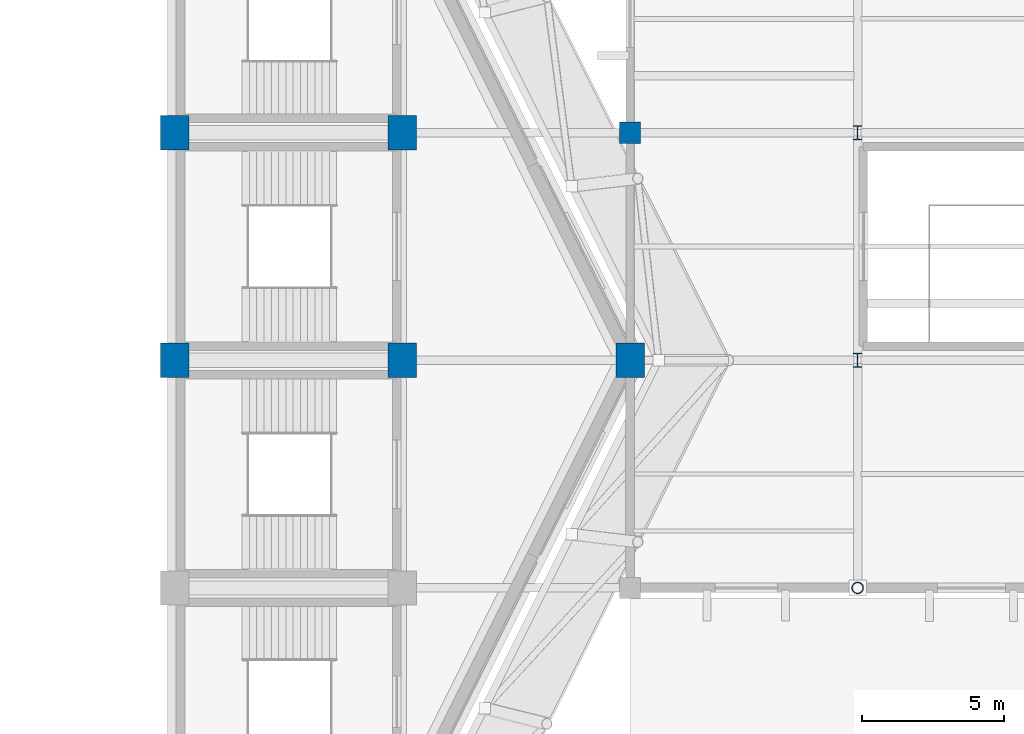
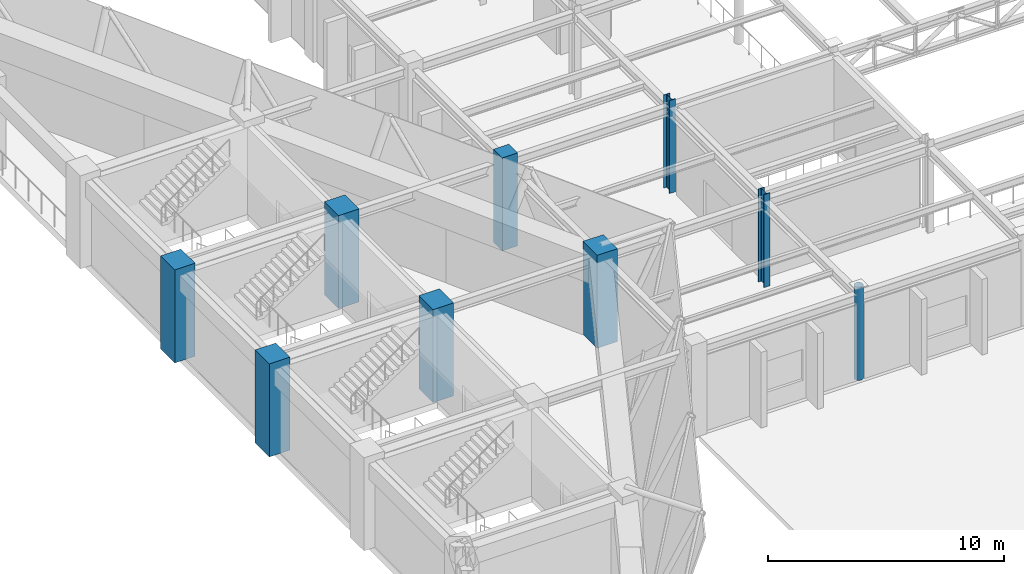
# One storey, part 2 of 46: 9 columns.
"""IFC4 building model written with IfcOpenShell, lengths in metres."""

from ifc_helpers import new_model, si_unit, direction, frame, origin, origin_2d, place, context, subcontext, project, spatial, rectangle, hollow_circle, i_section, extrude, material, material_profile, profile_set, type_object, element, save


model = new_model("IFC4")

# Units and contexts
model_context = context("Model", 3, precision=1e-05, world=origin(), true_north=direction((0.0, 1.0)))
body_context = subcontext(model_context, "Body", "Model", "MODEL_VIEW")
ifc_project = project(units=[si_unit("LENGTHUNIT", "METRE"), si_unit("AREAUNIT", "SQUARE_METRE"), si_unit("VOLUMEUNIT", "CUBIC_METRE"), si_unit("PLANEANGLEUNIT", "RADIAN"), si_unit("MASSUNIT", "GRAM", prefix="KILO")], contexts=[model_context])

# Site, building, storey
site_placement = place(None, origin())
site = spatial("IfcSite", under=ifc_project, at=site_placement, CompositionType="ELEMENT")
building_placement = place(site_placement, origin())
building = spatial("IfcBuilding", under=site, at=building_placement, Name="Tazarka Park Arena", CompositionType="ELEMENT")
storey_placement = place(building_placement, frame((0.0, 0.0, 10.199951171875)))
storey = spatial("IfcBuildingStorey", under=building, at=storey_placement, Name="L02", CompositionType="ELEMENT", Elevation=10.199951171875)

# Columns
ifc_material_1 = material(Name="Concrete C40/50", Category="concrete")
ifc_material_profile_1 = material_profile(ifc_material_1, rectangle(XDim=0.75, YDim=0.75, at=origin_2d()), Name="Concrete C40/50")
ifc_profile_set_1 = profile_set([ifc_material_profile_1], Name="Concrete C40/50")
column_type_1 = type_object("IfcColumnType", Name="COL-C-02", PredefinedType="COLUMN", material=ifc_profile_set_1)
column_1_placement = place(storey_placement, frame((136.0, 72.0, 0.0), z_axis=(0.0, 0.0, 1.0), x_axis=(1.0, 0.0, 0.0)))
element("IfcColumn", 1, at=column_1_placement, inside=storey, type_object=column_type_1, Name="CLM-L02-17-09", PredefinedType="COLUMN", context=body_context, shape_type="SweptSolid", body=[
    extrude(rectangle(XDim=0.75, YDim=0.75, at=origin_2d()), origin(), (0.0, 0.0, 1.0), 4.800048828125),
])
ifc_material_2 = material(Name="Concrete C50/60", Category="concrete")
ifc_material_profile_2 = material_profile(ifc_material_2, rectangle(XDim=1.0, YDim=1.199951171875, at=origin_2d()), Name="Concrete C50/60")
ifc_profile_set_2 = profile_set([ifc_material_profile_2], Name="Concrete C50/60")
column_type_2 = type_object("IfcColumnType", Name="COL-C-04", PredefinedType="COLUMN", material=ifc_profile_set_2)
for number, where, z_axis, x_axis, name in (
    (2, (128.0, 64.0, 0.0), (0.0, 0.0, 1.0), (1.0, 0.0, 0.0), "CLM-L02-16-08"),
    (3, (128.0, 72.0, 0.0), (0.0, 0.0, 1.0), (1.0, 0.0, 0.0), "CLM-L02-16-09"),
    (4, (136.0, 64.0, 0.0), (0.0, 0.0, 1.0), (1.0, 0.0, 0.0), "CLM-L02-17-08"),
):
    element("IfcColumn", number, at=place(storey_placement, frame(where, z_axis=z_axis, x_axis=x_axis)), inside=storey, type_object=column_type_2, Name=name, PredefinedType="COLUMN", context=body_context, shape_type="SweptSolid", body=[
        extrude(rectangle(XDim=1.0, YDim=1.199951171875, at=origin_2d()), origin(), (0.0, 0.0, 1.0), 4.800048828125),
    ])
ifc_material_3 = material(Name="Concrete C50/60", Category="concrete")
ifc_material_profile_3 = material_profile(ifc_material_3, rectangle(XDim=1.0, YDim=1.199951171875, at=origin_2d()), Name="Concrete C50/60")
ifc_profile_set_3 = profile_set([ifc_material_profile_3], Name="Concrete C50/60")
column_type_3 = type_object("IfcColumnType", Name="COL-C-07", PredefinedType="COLUMN", material=ifc_profile_set_3)
for number, where, z_axis, x_axis, name in (
    (5, (120.0, 64.0, 0.0), (0.0, 0.0, 1.0), (1.0, 0.0, 0.0), "CLM-L02-15-08"),
    (6, (120.0, 72.0, 0.0), (0.0, 0.0, 1.0), (1.0, 0.0, 0.0), "CLM-L02-15-09"),
):
    element("IfcColumn", number, at=place(storey_placement, frame(where, z_axis=z_axis, x_axis=x_axis)), inside=storey, type_object=column_type_3, Name=name, PredefinedType="COLUMN", context=body_context, shape_type="SweptSolid", body=[
        extrude(rectangle(XDim=1.0, YDim=1.199951171875, at=origin_2d()), origin(), (0.0, 0.0, 1.0), 4.800048828125),
    ])
ifc_material_4 = material(Name="Steel S355", Category="steel")
ifc_material_profile_4 = material_profile(ifc_material_4, i_section(OverallWidth=0.300048828125, OverallDepth=0.5, WebThickness=0.014404296875, FlangeThickness=0.028076171875, FilletRadius=0.027099609375, at=origin_2d()), Name="Steel S355")
ifc_profile_set_4 = profile_set([ifc_material_profile_4], Name="Steel S355")
column_type_4 = type_object("IfcColumnType", Name="COL-SC-02", PredefinedType="COLUMN", material=ifc_profile_set_4)
for number, where, z_axis, x_axis, name in (
    (7, (144.0, 64.0, 0.0), (0.0, 0.0, 1.0), (1.0, 0.0, 0.0), "CLM-L02-18-08"),
    (8, (144.0, 72.0, 0.0), (0.0, 0.0, 1.0), (1.0, 0.0, 0.0), "CLM-L02-18-09"),
):
    element("IfcColumn", number, at=place(storey_placement, frame(where, z_axis=z_axis, x_axis=x_axis)), inside=storey, type_object=column_type_4, Name=name, PredefinedType="COLUMN", context=body_context, shape_type="SweptSolid", body=[
        extrude(i_section(OverallWidth=0.300048828125, OverallDepth=0.5, WebThickness=0.014404296875, FlangeThickness=0.028076171875, FilletRadius=0.027099609375, at=origin_2d()), origin(), (0.0, 0.0, 1.0), 4.800048828125),
    ])
ifc_material_5 = material(Name="Steel S355", Category="steel")
ifc_material_profile_5 = material_profile(ifc_material_5, hollow_circle(Radius=0.203125, WallThickness=0.02001953125, at=origin_2d()), Name="Steel S355")
ifc_profile_set_5 = profile_set([ifc_material_profile_5], Name="Steel S355")
column_type_5 = type_object("IfcColumnType", Name="COL-SC-04", PredefinedType="COLUMN", material=ifc_profile_set_5)
column_2_placement = place(storey_placement, frame((144.0, 56.0, 0.0), z_axis=(0.0, 0.0, 1.0), x_axis=(1.0, 0.0, 0.0)))
element("IfcColumn", 9, at=column_2_placement, inside=storey, type_object=column_type_5, Name="CLM-L02-18-07", PredefinedType="COLUMN", context=body_context, shape_type="SweptSolid", body=[
    extrude(hollow_circle(Radius=0.203125, WallThickness=0.02001953125, at=origin_2d()), origin(), (0.0, 0.0, 1.0), 4.800048828125),
])

save(model, "model.ifc")
